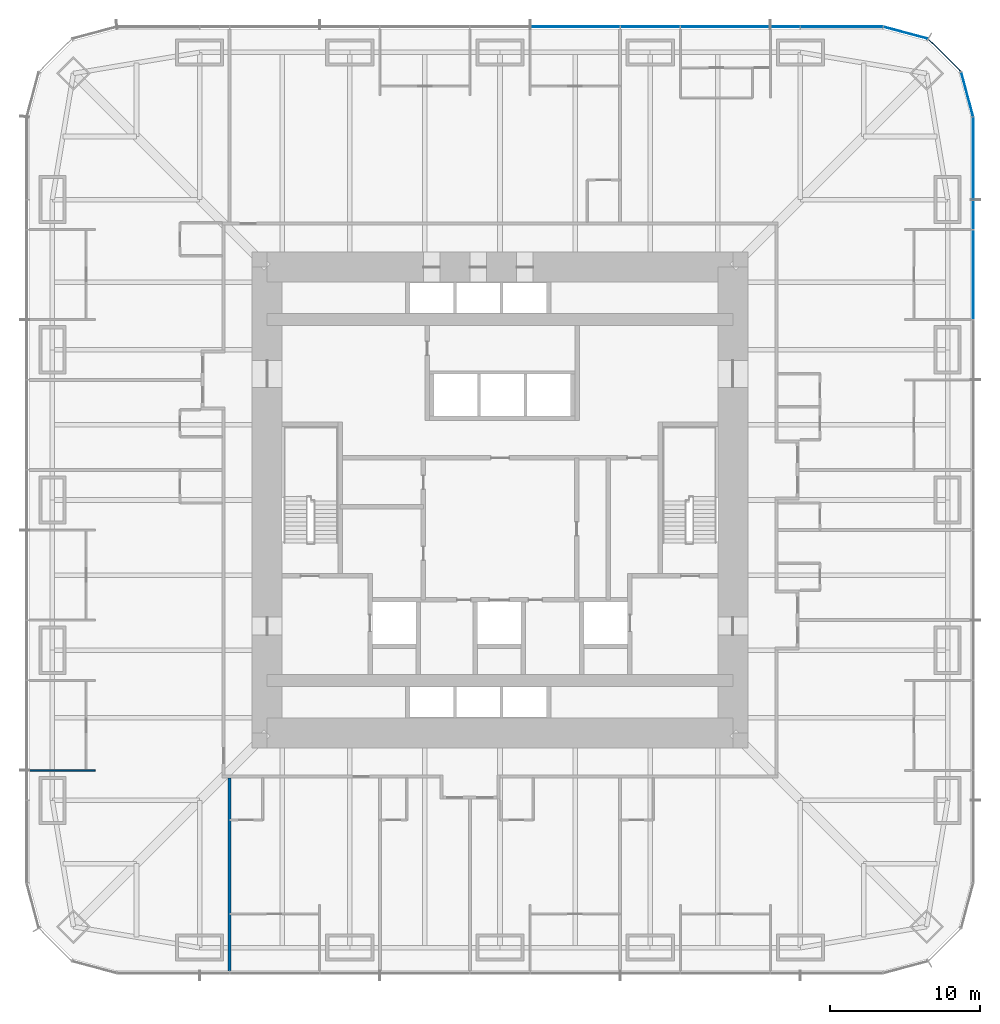
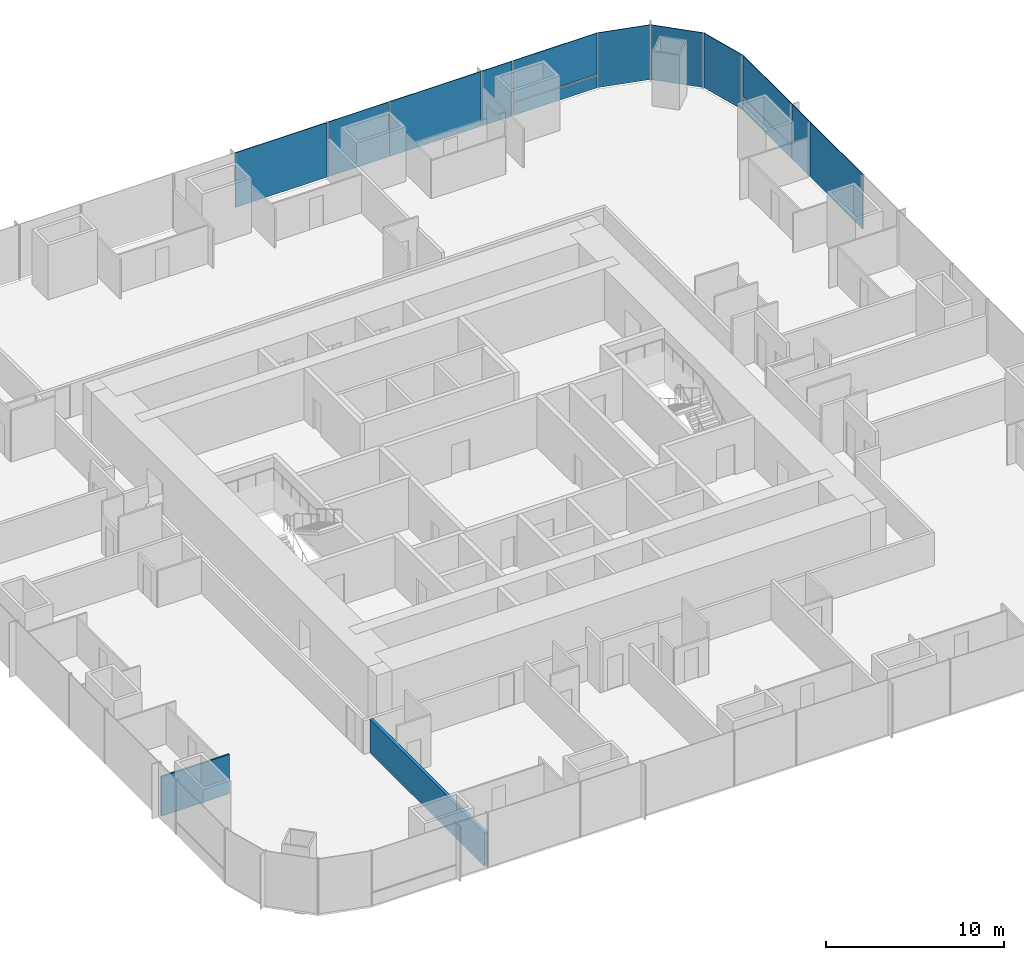
# One storey, part 11 of 17: 13 plates, 2 walls, 3 elements without a shape of their own.
"""IFC4 building model written with IfcOpenShell, lengths in metres."""

import ifcopenshell
import ifcopenshell.guid

model = None  # the IFC model being written
_history = None  # IfcOwnerHistory: only IFC2X3 demands one
_inside = {}  # id of a spatial element -> (the spatial element, [elements in it])
_under = {}  # id of a project, library or spatial element -> (it, [spatial elements below it])
_declared = {}  # id of a project -> (the project, [libraries it declares])
_typed = {}  # id of a type object -> (the type object, [elements of that type])
_made_of = {}  # id of a material, layer set ... -> (it, [elements and type objects made of it])


def new_model(schema):
    """Start an empty IFC model of exactly this schema.

    Asked for "IFC4X3", IfcOpenShell would pick the latest addendum, in which some entities
    have other attributes; the version numbers below select the first issue.
    IFC2X3 requires an IfcOwnerHistory on every rooted entity: one is made here for all.
    """
    global model, _history
    if schema == "IFC4X3":
        model = ifcopenshell.file(schema_version=(4, 3, 0, 0))
    else:
        model = ifcopenshell.file(schema=schema)
    _inside.clear()
    _under.clear()
    _declared.clear()
    _typed.clear()
    _made_of.clear()
    _history = None
    if model.schema == "IFC2X3":
        org = make("IfcOrganization", Name="unknown")
        user = make(
            "IfcPersonAndOrganization",
            ThePerson=make("IfcPerson", FamilyName="unknown"),
            TheOrganization=org,
        )
        app = make(
            "IfcApplication",
            ApplicationDeveloper=org,
            Version="unknown",
            ApplicationFullName="unknown",
            ApplicationIdentifier="unknown",
        )
        _history = make(
            "IfcOwnerHistory",
            OwningUser=user,
            OwningApplication=app,
            ChangeAction="ADDED",
            CreationDate=0,
        )
    return model


def make(cls, **values):
    """One entity of the class cls with the attributes given. An attribute that is None is left unset."""
    return model.create_entity(
        cls, **{name: value for name, value in values.items() if value is not None}
    )


def rooted(cls, **values):
    """An entity with a GlobalId (a new one), such as an element, a storey or a relation."""
    return make(cls, GlobalId=ifcopenshell.guid.new(), OwnerHistory=_history, **values)


def si_unit(unit_type, name, prefix=None):
    """IfcSIUnit, for example si_unit("LENGTHUNIT", "METRE", prefix="MILLI")."""
    return make("IfcSIUnit", UnitType=unit_type, Prefix=prefix, Name=name)


def assignment(units):
    """IfcUnitAssignment: the units of a project."""
    return None if units is None else make("IfcUnitAssignment", Units=units)


def point(xyz):
    """IfcCartesianPoint."""
    return None if xyz is None else make("IfcCartesianPoint", Coordinates=xyz)


def direction(xyz):
    """IfcDirection."""
    return None if xyz is None else make("IfcDirection", DirectionRatios=xyz)


def frame(location, z_axis=None, x_axis=None):
    """IfcAxis2Placement3D, a coordinate frame: its origin and axes. An axis left out is left unset."""
    return make(
        "IfcAxis2Placement3D",
        Location=point(location),
        Axis=direction(z_axis),
        RefDirection=direction(x_axis),
    )


def frame_2d(location, x_axis=None):
    """IfcAxis2Placement2D, a coordinate frame in the plane: its origin and x axis."""
    return make(
        "IfcAxis2Placement2D", Location=point(location), RefDirection=direction(x_axis)
    )


def origin():
    """The frame at (0, 0, 0) with its axes left unset."""
    return frame((0.0, 0.0, 0.0))


def origin_2d():
    """The frame at (0, 0) in the plane with its x axis left unset."""
    return frame_2d((0.0, 0.0))


def place(relative_to, where):
    """IfcLocalPlacement: puts the frame where relative to a parent placement (None: the world)."""
    return make(
        "IfcLocalPlacement", PlacementRelTo=relative_to, RelativePlacement=where
    )


def context(
    kind, dimensions, precision=None, world=None, true_north=None, identifier=None
):
    """IfcGeometricRepresentationContext, for example the 3D "Model" context."""
    return make(
        "IfcGeometricRepresentationContext",
        ContextIdentifier=identifier,
        ContextType=kind,
        CoordinateSpaceDimension=dimensions,
        Precision=precision,
        WorldCoordinateSystem=world,
        TrueNorth=true_north,
    )


def subcontext(parent, identifier, kind, view, scale=None):
    """IfcGeometricRepresentationSubContext, for example "Body" below "Model"."""
    return make(
        "IfcGeometricRepresentationSubContext",
        ContextIdentifier=identifier,
        ContextType=kind,
        ParentContext=parent,
        TargetScale=scale,
        TargetView=view,
    )


def project(units=None, contexts=None):
    """IfcProject with its units and contexts."""
    return rooted(
        "IfcProject",
        Name="project",
        RepresentationContexts=contexts,
        UnitsInContext=assignment(units),
    )


def spatial(cls, under=None, at=None, **own):
    """A site, building, storey or space (cls), placed at a placement, below another one or the project."""
    s = rooted(cls, ObjectPlacement=at, **own)
    if under is not None:
        _under.setdefault(under.id(), (under, []))[1].append(s)
    return s


def profile(cls, at=None, kind="AREA", **sizes):
    """A parametric profile (cls). Its sizes go by their IFC names, for example OverallWidth=200.0."""
    return make(cls, ProfileType=kind, Position=at, **sizes)


def rectangle(**sizes):
    """IfcRectangleProfileDef."""
    return profile("IfcRectangleProfileDef", **sizes)


def extrude(swept, where, along, depth):
    """IfcExtrudedAreaSolid: the profile swept, set in the frame where, extruded along a direction by depth."""
    return make(
        "IfcExtrudedAreaSolid",
        SweptArea=swept,
        Position=where,
        ExtrudedDirection=direction(along),
        Depth=depth,
    )


def shape(context_of_items, identifier, shape_type, items):
    """IfcShapeRepresentation: the items that make up one representation, for example the "Body"."""
    return make(
        "IfcShapeRepresentation",
        ContextOfItems=context_of_items,
        RepresentationIdentifier=identifier,
        RepresentationType=shape_type,
        Items=items,
    )


def material(Name=None, Category=None):
    """IfcMaterial."""
    return make("IfcMaterial", Name=Name, Category=Category)


def layer(
    of_material, thickness, ventilated=None, Name=None, Category=None, Priority=None
):
    """IfcMaterialLayer: one layer of a wall or slab, of a material (None: an air gap)."""
    return make(
        "IfcMaterialLayer",
        Material=of_material,
        LayerThickness=thickness,
        IsVentilated=ventilated,
        Name=Name,
        Category=Category,
        Priority=Priority,
    )


def layer_set(layers, Name=None):
    """IfcMaterialLayerSet."""
    return make("IfcMaterialLayerSet", MaterialLayers=layers, LayerSetName=Name)


def made_of(thing, what):
    """Note that an element or type object is made of a material, layer set ...; save() writes the relation."""
    if what is not None:
        _made_of.setdefault(what.id(), (what, []))[1].append(thing)
    return thing


def type_object(cls, material=None, **own):
    """A type object (cls), such as IfcWallType, which elements share."""
    return made_of(rooted(cls, **own), material)


def element(
    cls,
    number,
    at=None,
    inside=None,
    cuts=None,
    type_object=None,
    material=None,
    context=None,
    identifier="Body",
    shape_type=None,
    held_by="IfcProductDefinitionShape",
    body=None,
    shapes=None,
    **own,
):
    """One element of the class cls, such as IfcWall. Its Tag is "e" and its number.

    at: its placement. inside: the storey or other place that contains it. cuts: it is an
    opening in that element (IfcRelVoidsElement). A single representation is given by context,
    identifier, shape_type and body (its items); several are given by shapes. held_by: the class
    of the entity that holds the representations. save() writes the other relations.
    """
    e = rooted(cls, Tag="e%d" % number, ObjectPlacement=at, **own)
    if body is not None:
        shapes = [shape(context, identifier, shape_type, body)]
    if shapes is not None:
        e.Representation = make(held_by, Representations=shapes)
    if inside is not None:
        _inside.setdefault(inside.id(), (inside, []))[1].append(e)
    if cuts is not None:
        rooted(
            "IfcRelVoidsElement", RelatingBuildingElement=cuts, RelatedOpeningElement=e
        )
    if type_object is not None:
        _typed.setdefault(type_object.id(), (type_object, []))[1].append(e)
    return made_of(e, material)


def aggregate(whole, parts):
    """IfcRelAggregates: a whole, such as a stair, and the parts it consists of."""
    return rooted("IfcRelAggregates", RelatingObject=whole, RelatedObjects=parts)


def save(model, path):
    """Write the relations noted so far, then the file.

    IfcRelAggregates (storeys below a building ...), IfcRelContainedInSpatialStructure (elements
    in a storey), IfcRelDefinesByType, IfcRelAssociatesMaterial and IfcRelDeclares: one each for
    every whole, place, type object, material and project.
    """
    for whole, parts in _under.values():
        aggregate(whole, parts)
    for where, things in _inside.values():
        rooted(
            "IfcRelContainedInSpatialStructure",
            RelatedElements=things,
            RelatingStructure=where,
        )
    for kind, things in _typed.values():
        rooted("IfcRelDefinesByType", RelatedObjects=things, RelatingType=kind)
    for what, things in _made_of.values():
        rooted("IfcRelAssociatesMaterial", RelatedObjects=things, RelatingMaterial=what)
    for by, libraries in _declared.values():
        rooted("IfcRelDeclares", RelatingContext=by, RelatedDefinitions=libraries)
    model.write(path)


model = new_model("IFC4")

# Units and contexts
model_context = context("Model", 3, precision=1e-05, world=origin(), true_north=direction((0.0, 1.0)))
body_context = subcontext(model_context, "Body", "Model", "MODEL_VIEW")
ifc_project = project(units=[si_unit("LENGTHUNIT", "METRE"), si_unit("AREAUNIT", "SQUARE_METRE"), si_unit("VOLUMEUNIT", "CUBIC_METRE"), si_unit("PLANEANGLEUNIT", "RADIAN"), si_unit("MASSUNIT", "GRAM", prefix="KILO")], contexts=[model_context])

# Site, building, storey
site_placement = place(None, origin())
site = spatial("IfcSite", under=ifc_project, at=site_placement, CompositionType="ELEMENT")
building_placement = place(site_placement, origin())
building = spatial("IfcBuilding", under=site, at=building_placement, Name="Khuree Lantern Residences", CompositionType="ELEMENT")
storey_placement = place(building_placement, frame((0.0, 0.0, 58.5)))
storey = spatial("IfcBuildingStorey", under=building, at=storey_placement, Name="L14", CompositionType="ELEMENT", Elevation=58.5)

# Curtain wall, plates
ifc_material_1 = material(Name="Bronze anodised aluminium", Category="aluminium")
curtain_wall_type_1 = type_object("IfcCurtainWallType", Name="CW-T2 TOWER CORNER CURTAIN WALL", PredefinedType="USERDEFINED", material=ifc_material_1)
curtain_wall_1_placement = place(storey_placement, origin())
curtain_wall_1 = element("IfcCurtainWall", 1, at=curtain_wall_1_placement, inside=storey, type_object=curtain_wall_type_1, Name="L14 NORTH-EAST CORNER CURTAIN WALL", ObjectType="Faceted corner curtain wall", PredefinedType="USERDEFINED")
ifc_material_2 = material(Name="Bronze tinted triple glazing", Category="glass")
ifc_layer_1 = layer(ifc_material_2, 0.048095703125)
ifc_layer_set_1 = layer_set([ifc_layer_1], Name="FACET PANEL P4")
plate_type_1 = type_object("IfcPlateType", Name="FACET PANEL P4", PredefinedType="CURTAIN_PANEL", material=ifc_layer_set_1)
plate_1_placement = place(storey_placement, frame((31.0986328125, 26.998046875, 0.0), z_axis=(0.0, 0.0, 1.0), x_axis=(-0.258819172081, 0.965925792265, 0.0)))
plate_1 = element("IfcPlate", 2, at=plate_1_placement, type_object=plate_type_1, Name="L14 NORTH-EAST CORNER PANEL 15.1", PredefinedType="CURTAIN_PANEL", context=body_context, shape_type="SweptSolid", body=[
    extrude(rectangle(XDim=3.02978515625, YDim=0.048095703125, at=origin_2d()), origin(), (0.0, 0.0, 1.0), 3.75),
])
plate_2_placement = place(storey_placement, frame((29.59814453125, 29.59814453125, 0.0), z_axis=(0.0, 0.0, 1.0), x_axis=(-0.707106781187, 0.707106781187, 0.0)))
plate_2 = element("IfcPlate", 3, at=plate_2_placement, type_object=plate_type_1, Name="L14 NORTH-EAST CORNER PANEL 16.1", PredefinedType="CURTAIN_PANEL", context=body_context, shape_type="SweptSolid", body=[
    extrude(rectangle(XDim=3.025634765625, YDim=0.048095703125, at=origin_2d()), origin(), (0.0, 0.0, 1.0), 3.75),
])
plate_3_placement = place(storey_placement, frame((26.998046875, 31.0986328125, 0.0), z_axis=(0.0, 0.0, 1.0), x_axis=(-0.965925792265, 0.258819172081, 0.0)))
plate_3 = element("IfcPlate", 4, at=plate_3_placement, type_object=plate_type_1, Name="L14 NORTH-EAST CORNER PANEL 17.1", PredefinedType="CURTAIN_PANEL", context=body_context, shape_type="SweptSolid", body=[
    extrude(rectangle(XDim=3.02978515625, YDim=0.048095703125, at=origin_2d()), origin(), (0.0, 0.0, 1.0), 3.75),
])
aggregate(curtain_wall_1, [plate_1, plate_2, plate_3])

# Curtain wall, plate
curtain_wall_type_2 = type_object("IfcCurtainWallType", Name="CW-T1 TOWER FACE CURTAIN WALL", PredefinedType="USERDEFINED", material=ifc_material_1)
curtain_wall_2_placement = place(storey_placement, origin())
curtain_wall_2 = element("IfcCurtainWall", 5, at=curtain_wall_2_placement, inside=storey, type_object=curtain_wall_type_2, Name="L14 EAST FACE CURTAIN WALL", ObjectType="Stick-built curtain wall", PredefinedType="USERDEFINED")
ifc_material_3 = material(Name="Bronze tinted triple glazing with a ceramic-fritted spandrel band", Category="glass")
ifc_layer_2 = layer(ifc_material_3, 0.048095703125)
ifc_layer_set_2 = layer_set([ifc_layer_2], Name="FIXED LIGHT PANEL P11")
plate_type_2 = type_object("IfcPlateType", Name="FIXED LIGHT PANEL P11", PredefinedType="CURTAIN_PANEL", material=ifc_layer_set_2)
plate_4_placement = place(storey_placement, frame((31.5, 15.0, 0.0), z_axis=(0.0, 0.0, 1.0), x_axis=(0.0, 1.0, 0.0)))
plate_4 = element("IfcPlate", 6, at=plate_4_placement, type_object=plate_type_2, Name="L14 EAST FACE PANEL 12.1", PredefinedType="CURTAIN_PANEL", context=body_context, shape_type="SweptSolid", body=[
    extrude(rectangle(XDim=5.93505859375, YDim=0.048095703125, at=origin_2d()), origin(), (0.0, 0.0, 1.0), 3.75),
])

# Curtain wall, plates
curtain_wall_3_placement = place(storey_placement, origin())
curtain_wall_3 = element("IfcCurtainWall", 7, at=curtain_wall_3_placement, inside=storey, type_object=curtain_wall_type_2, Name="L14 NORTH FACE CURTAIN WALL", ObjectType="Stick-built curtain wall", PredefinedType="USERDEFINED")
plate_5_placement = place(storey_placement, frame((15.0, 31.5, 0.0), z_axis=(0.0, 0.0, 1.0), x_axis=(-1.0, 0.0, 0.0)))
plate_5 = element("IfcPlate", 8, at=plate_5_placement, type_object=plate_type_2, Name="L14 NORTH FACE PANEL 20.1", PredefinedType="CURTAIN_PANEL", context=body_context, shape_type="SweptSolid", body=[
    extrude(rectangle(XDim=5.93505859375, YDim=0.048095703125, at=origin_2d()), origin(), (0.0, 0.0, 1.0), 3.75),
])
plate_6_placement = place(storey_placement, frame((5.0, 31.5, 0.0), z_axis=(0.0, 0.0, 1.0), x_axis=(-1.0, 0.0, 0.0)))
plate_6 = element("IfcPlate", 9, at=plate_6_placement, type_object=plate_type_2, Name="L14 NORTH FACE PANEL 22.1", PredefinedType="CURTAIN_PANEL", context=body_context, shape_type="SweptSolid", body=[
    extrude(rectangle(XDim=5.93505859375, YDim=0.048095703125, at=origin_2d()), origin(), (0.0, 0.0, 1.0), 3.75),
])
ifc_material_4 = material(Name="Bronze tinted triple glazing, two aluminium-framed sashes in one frame", Category="aluminium")
ifc_layer_3 = layer(ifc_material_4, 0.048095703125)
ifc_layer_set_3 = layer_set([ifc_layer_3], Name="SASH PAIR PANEL P12")
plate_type_3 = type_object("IfcPlateType", Name="SASH PAIR PANEL P12", PredefinedType="CURTAIN_PANEL", material=ifc_layer_set_3)
plate_7_placement = place(storey_placement, frame((10.0, 31.5, 0.0), z_axis=(0.0, 0.0, 1.0), x_axis=(-1.0, 0.0, 0.0)))
plate_7 = element("IfcPlate", 10, at=plate_7_placement, type_object=plate_type_3, Name="L14 NORTH FACE PANEL 21.1", PredefinedType="CURTAIN_PANEL", context=body_context, shape_type="SweptSolid", body=[
    extrude(rectangle(XDim=3.93505859375, YDim=0.048095703125, at=origin_2d()), origin(), (0.0, 0.0, 1.0), 3.75),
])

# Plate
ifc_material_5 = material(Name="Bronze tinted triple glazing, aluminium-framed sash", Category="aluminium")
ifc_layer_4 = layer(ifc_material_5, 0.048095703125)
ifc_layer_set_4 = layer_set([ifc_layer_4], Name="SASH PANEL P3")
plate_type_4 = type_object("IfcPlateType", Name="SASH PANEL P3", PredefinedType="CURTAIN_PANEL", material=ifc_layer_set_4)
plate_8_placement = place(storey_placement, frame((31.5, 19.0, 0.0), z_axis=(0.0, 0.0, 1.0), x_axis=(0.0, 1.0, 0.0)))
plate_8 = element("IfcPlate", 11, at=plate_8_placement, type_object=plate_type_4, Name="L14 EAST FACE PANEL 13.1", PredefinedType="CURTAIN_PANEL", context=body_context, shape_type="SweptSolid", body=[
    extrude(rectangle(XDim=1.93505859375, YDim=0.048095703125, at=origin_2d()), origin(), (0.0, 0.0, 1.0), 3.75),
])

plate_9_placement = place(storey_placement, frame((19.0, 31.5, 0.0), z_axis=(0.0, 0.0, 1.0), x_axis=(-1.0, 0.0, 0.0)))
plate_9 = element("IfcPlate", 12, at=plate_9_placement, type_object=plate_type_4, Name="L14 NORTH FACE PANEL 19.1", PredefinedType="CURTAIN_PANEL", context=body_context, shape_type="SweptSolid", body=[
    extrude(rectangle(XDim=1.93505859375, YDim=0.048095703125, at=origin_2d()), origin(), (0.0, 0.0, 1.0), 3.75),
])

ifc_material_6 = material(Name="Bronze anodised aluminium insulated spandrel", Category="aluminium")
ifc_layer_5 = layer(ifc_material_6, 0.06005859375)
ifc_layer_set_5 = layer_set([ifc_layer_5], Name="SPANDREL PANEL P2")
plate_type_5 = type_object("IfcPlateType", Name="SPANDREL PANEL P2", PredefinedType="CURTAIN_PANEL", material=ifc_layer_set_5)
plate_10_placement = place(storey_placement, frame((31.5, 22.747802734375, 0.0), z_axis=(0.0, 0.0, 1.0), x_axis=(0.0, 1.0, 0.0)))
plate_10 = element("IfcPlate", 13, at=plate_10_placement, type_object=plate_type_5, Name="L14 EAST FACE PANEL 14.1", PredefinedType="CURTAIN_PANEL", context=body_context, shape_type="SweptSolid", body=[
    extrude(rectangle(XDim=5.4306640625, YDim=0.06005859375, at=origin_2d()), origin(), (0.0, 0.0, 1.0), 0.867431640625),
])

plate_11_placement = place(storey_placement, frame((22.747802734375, 31.5, 0.0), z_axis=(0.0, 0.0, 1.0), x_axis=(-1.0, 0.0, 0.0)))
plate_11 = element("IfcPlate", 14, at=plate_11_placement, type_object=plate_type_5, Name="L14 NORTH FACE PANEL 18.1", PredefinedType="CURTAIN_PANEL", context=body_context, shape_type="SweptSolid", body=[
    extrude(rectangle(XDim=5.4306640625, YDim=0.06005859375, at=origin_2d()), origin(), (0.0, 0.0, 1.0), 0.867431640625),
])

ifc_layer_6 = layer(ifc_material_2, 0.048095703125)
ifc_layer_set_6 = layer_set([ifc_layer_6], Name="VISION PANEL P1")
plate_type_6 = type_object("IfcPlateType", Name="VISION PANEL P1", PredefinedType="CURTAIN_PANEL", material=ifc_layer_set_6)
plate_12_placement = place(storey_placement, frame((31.5, 22.748291015625, 0.9326171875), z_axis=(0.0, 0.0, 1.0), x_axis=(0.0, 1.0, 0.0)))
plate_12 = element("IfcPlate", 15, at=plate_12_placement, type_object=plate_type_6, Name="L14 EAST FACE PANEL 14.2", PredefinedType="CURTAIN_PANEL", context=body_context, shape_type="SweptSolid", body=[
    extrude(rectangle(XDim=5.431640625, YDim=0.048095703125, at=origin_2d()), origin(), (0.0, 0.0, 1.0), 2.8173828125),
])

aggregate(curtain_wall_2, [plate_4, plate_8, plate_10, plate_12])

plate_13_placement = place(storey_placement, frame((22.748291015625, 31.5, 0.9326171875), z_axis=(0.0, 0.0, 1.0), x_axis=(-1.0, 0.0, 0.0)))
plate_13 = element("IfcPlate", 16, at=plate_13_placement, type_object=plate_type_6, Name="L14 NORTH FACE PANEL 18.2", PredefinedType="CURTAIN_PANEL", context=body_context, shape_type="SweptSolid", body=[
    extrude(rectangle(XDim=5.431640625, YDim=0.048095703125, at=origin_2d()), origin(), (0.0, 0.0, 1.0), 2.8173828125),
])

aggregate(curtain_wall_3, [plate_11, plate_13, plate_9, plate_5, plate_7, plate_6])

# Walls
ifc_material_7 = material(Name="Gypsum board on steel studs", Category="steel")
ifc_layer_7 = layer(ifc_material_7, 0.199951171875)
ifc_layer_set_7 = layer_set([ifc_layer_7], Name="DEMISING WALL DMW200 EI 90")
wall_type_1 = type_object("IfcWallType", Name="DEMISING WALL DMW200 EI 90", PredefinedType="PARTITIONING", material=ifc_layer_set_7)
wall_1_placement = place(storey_placement, frame((-18.0, -18.5, 0.0), z_axis=(0.0, 0.0, 1.0), x_axis=(0.0, -1.0, 0.0)))
element("IfcWall", 17, at=wall_1_placement, inside=storey, type_object=wall_type_1, Name="L14 DEMISING WALL 08", PredefinedType="PARTITIONING", context=body_context, shape_type="SweptSolid", body=[
    extrude(rectangle(XDim=12.85009765625, YDim=0.199951171875, at=frame_2d((6.425048828125, 0.0))), origin(), (0.0, 0.0, 1.0), 2.300048828125),
])
ifc_layer_8 = layer(ifc_material_7, 0.10009765625)
ifc_layer_set_8 = layer_set([ifc_layer_8], Name="PARTITION PT100")
wall_type_2 = type_object("IfcWallType", Name="PARTITION PT100", PredefinedType="PARTITIONING", material=ifc_layer_set_8)
wall_2_placement = place(storey_placement, frame((-26.949951171875, -18.0, 0.0), z_axis=(0.0, 0.0, 1.0), x_axis=(-1.0, 0.0, 0.0)))
element("IfcWall", 18, at=wall_2_placement, inside=storey, type_object=wall_type_2, Name="L14 PARTITION 07", PredefinedType="PARTITIONING", context=body_context, shape_type="SweptSolid", body=[
    extrude(rectangle(XDim=4.400146484375, YDim=0.10009765625, at=frame_2d((2.2001953125, 0.0))), origin(), (0.0, 0.0, 1.0), 2.7099609375),
])

save(model, "model.ifc")
